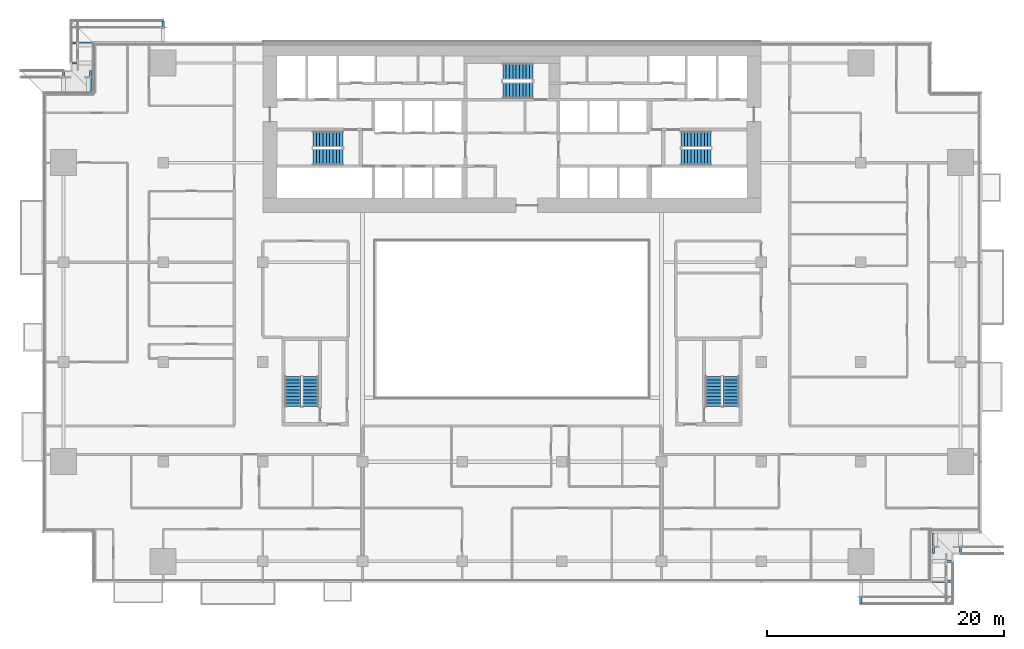
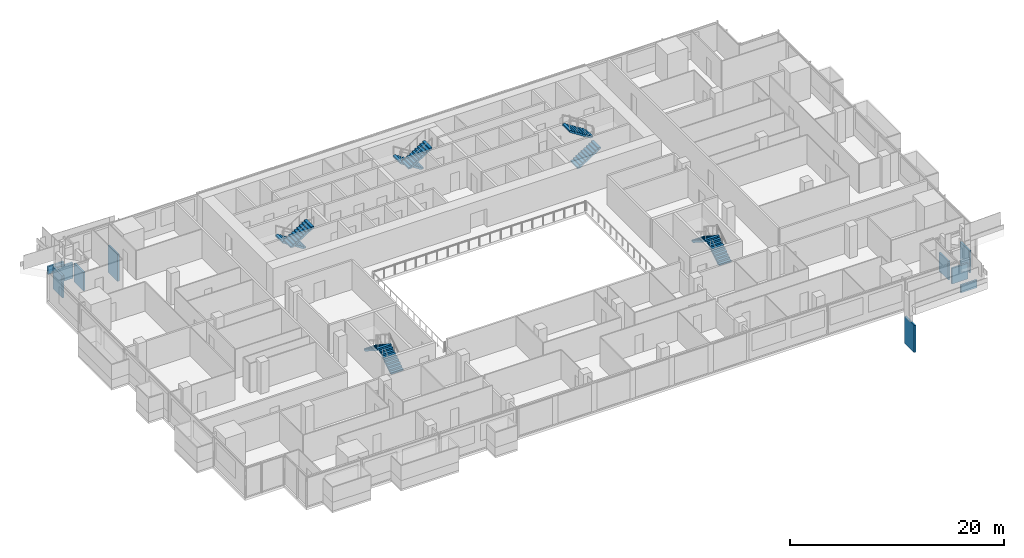
# One storey, part 24 of 29: 10 discrete accessories, 10 stair flights, 5 elements without a shape of their own.
"""IFC4 building model written with IfcOpenShell, lengths in metres."""

from ifc_helpers import new_model, si_unit, direction, frame, origin, origin_2d, place, context, subcontext, project, spatial, polyline, rectangle, outline, extrude, material, type_object, element, aggregate, save


model = new_model("IFC4")

# Units and contexts
model_context = context("Model", 3, precision=1e-05, world=origin(), true_north=direction((0.0, 1.0)))
body_context = subcontext(model_context, "Body", "Model", "MODEL_VIEW")
ifc_project = project(units=[si_unit("LENGTHUNIT", "METRE"), si_unit("AREAUNIT", "SQUARE_METRE"), si_unit("VOLUMEUNIT", "CUBIC_METRE"), si_unit("PLANEANGLEUNIT", "RADIAN"), si_unit("MASSUNIT", "GRAM", prefix="KILO")], contexts=[model_context])

# Site, building, storey
site_placement = place(None, origin())
site = spatial("IfcSite", under=ifc_project, at=site_placement, CompositionType="ELEMENT")
building_placement = place(site_placement, origin())
building = spatial("IfcBuilding", under=site, at=building_placement, Name="Saffron Gate Tower", CompositionType="ELEMENT")
storey_placement = place(building_placement, frame((0.0, 0.0, 48.0)))
storey = spatial("IfcBuildingStorey", under=building, at=storey_placement, Name="L10", CompositionType="ELEMENT", Elevation=48.0)

# Stair, stair flights
ifc_material = material(Name="Concrete C40", Category="concrete")
stair_type = type_object("IfcStairType", Name="ST7 Stair 1350 wide, 20 risers of 180", PredefinedType="HALF_TURN_STAIR", material=ifc_material)
stair_1_placement = place(storey_placement, origin())
stair_1 = element("IfcStair", 1, at=stair_1_placement, inside=storey, type_object=stair_type, Name="L10 Exit stair A", PredefinedType="HALF_TURN_STAIR")
stair_flight_type = type_object("IfcStairFlightType", Name="SF3 Stair flight 1350 wide, riser 180 going 280", PredefinedType="STRAIGHT", material=ifc_material)
stair_flight_1_placement = place(storey_placement, frame((73.35009765625, 67.375, 0.0), z_axis=(0.0, 0.0, 1.0), x_axis=(-1.0, 0.0, 0.0)))
stair_flight_1 = element("IfcStairFlight", 2, at=stair_flight_1_placement, type_object=stair_flight_type, Name="ST-A flight 1", NumberOfRisers=10, NumberOfTreads=9, PredefinedType="STRAIGHT", RiserHeight=0.18, TreadLength=0.28, context=body_context, shape_type="SweptSolid", body=[
    extrude(outline(polyline([(0.0, 0.0), (0.0, 0.179931640625), (0.280029296875, 0.179931640625), (0.280029296875, 0.360107421875), (0.56005859375, 0.360107421875), (0.56005859375, 0.5400390625), (0.840087890625, 0.5400390625), (0.840087890625, 0.719970703125), (1.1201171875, 0.719970703125), (1.1201171875, 0.89990234375), (1.39990234375, 0.89990234375), (1.39990234375, 1.080078125), (1.679931640625, 1.080078125), (1.679931640625, 1.260009765625), (1.9599609375, 1.260009765625), (1.9599609375, 1.43994140625), (2.239990234375, 1.43994140625), (2.239990234375, 1.6201171875), (2.52001953125, 1.6201171875), (2.52001953125, 1.800048828125), (2.52001953125, 1.44189453125), (0.277099609375, 0.0), (0.0, 0.0)])), frame((0.0, 0.675048828125, 0.0), z_axis=(0.0, -1.0, 0.0), x_axis=(1.0, 0.0, 0.0)), (0.0, 0.0, 1.0), 1.35009765625),
])
stair_flight_2_placement = place(storey_placement, frame((70.830078125, 65.875, 1.800048828125), z_axis=(0.0, 0.0, 1.0), x_axis=(1.0, 0.0, 0.0)))
stair_flight_2 = element("IfcStairFlight", 3, at=stair_flight_2_placement, type_object=stair_flight_type, Name="ST-A flight 2", NumberOfRisers=10, NumberOfTreads=9, PredefinedType="STRAIGHT", RiserHeight=0.18, TreadLength=0.28, context=body_context, shape_type="SweptSolid", body=[
    extrude(outline(polyline([(0.0, 0.0), (0.0, 0.179931640625), (0.280029296875, 0.179931640625), (0.280029296875, 0.360107421875), (0.56005859375, 0.360107421875), (0.56005859375, 0.5400390625), (0.840087890625, 0.5400390625), (0.840087890625, 0.719970703125), (1.1201171875, 0.719970703125), (1.1201171875, 0.89990234375), (1.39990234375, 0.89990234375), (1.39990234375, 1.080078125), (1.679931640625, 1.080078125), (1.679931640625, 1.260009765625), (1.9599609375, 1.260009765625), (1.9599609375, 1.43994140625), (2.239990234375, 1.43994140625), (2.239990234375, 1.6201171875), (2.52001953125, 1.6201171875), (2.52001953125, 1.800048828125), (2.52001953125, 1.44189453125), (0.277099609375, 0.0), (0.0, 0.0)])), frame((0.0, 0.675048828125, 0.0), z_axis=(0.0, -1.0, 0.0), x_axis=(1.0, 0.0, 0.0)), (0.0, 0.0, 1.0), 1.35009765625),
])
aggregate(stair_1, [stair_flight_1, stair_flight_2])

stair_2_placement = place(storey_placement, origin())
stair_2 = element("IfcStair", 4, at=stair_2_placement, inside=storey, type_object=stair_type, Name="L10 Exit stair B", PredefinedType="HALF_TURN_STAIR")
stair_flight_3_placement = place(storey_placement, frame((101.85009765625, 65.875, 0.0), z_axis=(0.0, 0.0, 1.0), x_axis=(1.0, 0.0, 0.0)))
stair_flight_3 = element("IfcStairFlight", 5, at=stair_flight_3_placement, type_object=stair_flight_type, Name="ST-B flight 1", NumberOfRisers=10, NumberOfTreads=9, PredefinedType="STRAIGHT", RiserHeight=0.18, TreadLength=0.28, context=body_context, shape_type="SweptSolid", body=[
    extrude(outline(polyline([(0.0, 0.0), (0.0, 0.179931640625), (0.280029296875, 0.179931640625), (0.280029296875, 0.360107421875), (0.56005859375, 0.360107421875), (0.56005859375, 0.5400390625), (0.840087890625, 0.5400390625), (0.840087890625, 0.719970703125), (1.1201171875, 0.719970703125), (1.1201171875, 0.89990234375), (1.39990234375, 0.89990234375), (1.39990234375, 1.080078125), (1.679931640625, 1.080078125), (1.679931640625, 1.260009765625), (1.9599609375, 1.260009765625), (1.9599609375, 1.43994140625), (2.239990234375, 1.43994140625), (2.239990234375, 1.6201171875), (2.52001953125, 1.6201171875), (2.52001953125, 1.800048828125), (2.52001953125, 1.44189453125), (0.277099609375, 0.0), (0.0, 0.0)])), frame((0.0, 0.675048828125, 0.0), z_axis=(0.0, -1.0, 0.0), x_axis=(1.0, 0.0, 0.0)), (0.0, 0.0, 1.0), 1.35009765625),
])
stair_flight_4_placement = place(storey_placement, frame((104.3701171875, 67.375, 1.800048828125), z_axis=(0.0, 0.0, 1.0), x_axis=(-1.0, 0.0, 0.0)))
stair_flight_4 = element("IfcStairFlight", 6, at=stair_flight_4_placement, type_object=stair_flight_type, Name="ST-B flight 2", NumberOfRisers=10, NumberOfTreads=9, PredefinedType="STRAIGHT", RiserHeight=0.18, TreadLength=0.28, context=body_context, shape_type="SweptSolid", body=[
    extrude(outline(polyline([(0.0, 0.0), (0.0, 0.179931640625), (0.280029296875, 0.179931640625), (0.280029296875, 0.360107421875), (0.56005859375, 0.360107421875), (0.56005859375, 0.5400390625), (0.840087890625, 0.5400390625), (0.840087890625, 0.719970703125), (1.1201171875, 0.719970703125), (1.1201171875, 0.89990234375), (1.39990234375, 0.89990234375), (1.39990234375, 1.080078125), (1.679931640625, 1.080078125), (1.679931640625, 1.260009765625), (1.9599609375, 1.260009765625), (1.9599609375, 1.43994140625), (2.239990234375, 1.43994140625), (2.239990234375, 1.6201171875), (2.52001953125, 1.6201171875), (2.52001953125, 1.800048828125), (2.52001953125, 1.44189453125), (0.277099609375, 0.0), (0.0, 0.0)])), frame((0.0, 0.675048828125, 0.0), z_axis=(0.0, -1.0, 0.0), x_axis=(1.0, 0.0, 0.0)), (0.0, 0.0, 1.0), 1.35009765625),
])
aggregate(stair_2, [stair_flight_3, stair_flight_4])

stair_3_placement = place(storey_placement, origin())
stair_3 = element("IfcStair", 7, at=stair_3_placement, inside=storey, type_object=stair_type, Name="L10 Exit stair C", PredefinedType="HALF_TURN_STAIR")
stair_flight_5_placement = place(storey_placement, frame((89.35009765625, 73.074951171875, 0.0), z_axis=(0.0, 0.0, 1.0), x_axis=(-1.0, 0.0, 0.0)))
stair_flight_5 = element("IfcStairFlight", 8, at=stair_flight_5_placement, type_object=stair_flight_type, Name="ST-C flight 1", NumberOfRisers=10, NumberOfTreads=9, PredefinedType="STRAIGHT", RiserHeight=0.18, TreadLength=0.28, context=body_context, shape_type="SweptSolid", body=[
    extrude(outline(polyline([(0.0, 0.0), (0.0, 0.179931640625), (0.280029296875, 0.179931640625), (0.280029296875, 0.360107421875), (0.56005859375, 0.360107421875), (0.56005859375, 0.5400390625), (0.840087890625, 0.5400390625), (0.840087890625, 0.719970703125), (1.1201171875, 0.719970703125), (1.1201171875, 0.89990234375), (1.39990234375, 0.89990234375), (1.39990234375, 1.080078125), (1.679931640625, 1.080078125), (1.679931640625, 1.260009765625), (1.9599609375, 1.260009765625), (1.9599609375, 1.43994140625), (2.239990234375, 1.43994140625), (2.239990234375, 1.6201171875), (2.52001953125, 1.6201171875), (2.52001953125, 1.800048828125), (2.52001953125, 1.44189453125), (0.277099609375, 0.0), (0.0, 0.0)])), frame((0.0, 0.675048828125, 0.0), z_axis=(0.0, -1.0, 0.0), x_axis=(1.0, 0.0, 0.0)), (0.0, 0.0, 1.0), 1.35009765625),
])
stair_flight_6_placement = place(storey_placement, frame((86.830078125, 71.47509765625, 1.800048828125), z_axis=(0.0, 0.0, 1.0), x_axis=(1.0, 0.0, 0.0)))
stair_flight_6 = element("IfcStairFlight", 9, at=stair_flight_6_placement, type_object=stair_flight_type, Name="ST-C flight 2", NumberOfRisers=10, NumberOfTreads=9, PredefinedType="STRAIGHT", RiserHeight=0.18, TreadLength=0.28, context=body_context, shape_type="SweptSolid", body=[
    extrude(outline(polyline([(0.0, 0.0), (0.0, 0.179931640625), (0.280029296875, 0.179931640625), (0.280029296875, 0.360107421875), (0.56005859375, 0.360107421875), (0.56005859375, 0.5400390625), (0.840087890625, 0.5400390625), (0.840087890625, 0.719970703125), (1.1201171875, 0.719970703125), (1.1201171875, 0.89990234375), (1.39990234375, 0.89990234375), (1.39990234375, 1.080078125), (1.679931640625, 1.080078125), (1.679931640625, 1.260009765625), (1.9599609375, 1.260009765625), (1.9599609375, 1.43994140625), (2.239990234375, 1.43994140625), (2.239990234375, 1.6201171875), (2.52001953125, 1.6201171875), (2.52001953125, 1.800048828125), (2.52001953125, 1.44189453125), (0.277099609375, 0.0), (0.0, 0.0)])), frame((0.0, 0.675048828125, 0.0), z_axis=(0.0, -1.0, 0.0), x_axis=(1.0, 0.0, 0.0)), (0.0, 0.0, 1.0), 1.35009765625),
])
aggregate(stair_3, [stair_flight_5, stair_flight_6])

stair_4_placement = place(storey_placement, origin())
stair_4 = element("IfcStair", 10, at=stair_4_placement, inside=storey, type_object=stair_type, Name="L10 Exit stair D", PredefinedType="HALF_TURN_STAIR")
stair_flight_7_placement = place(storey_placement, frame((70.625, 44.85009765625, 0.0), z_axis=(0.0, 0.0, 1.0), x_axis=(0.0, 1.0, 0.0)))
stair_flight_7 = element("IfcStairFlight", 11, at=stair_flight_7_placement, type_object=stair_flight_type, Name="ST-D flight 1", NumberOfRisers=10, NumberOfTreads=9, PredefinedType="STRAIGHT", RiserHeight=0.18, TreadLength=0.28, context=body_context, shape_type="SweptSolid", body=[
    extrude(outline(polyline([(0.0, 0.0), (0.0, 0.179931640625), (0.280029296875, 0.179931640625), (0.280029296875, 0.360107421875), (0.56005859375, 0.360107421875), (0.56005859375, 0.5400390625), (0.840087890625, 0.5400390625), (0.840087890625, 0.719970703125), (1.1201171875, 0.719970703125), (1.1201171875, 0.89990234375), (1.39990234375, 0.89990234375), (1.39990234375, 1.080078125), (1.679931640625, 1.080078125), (1.679931640625, 1.260009765625), (1.9599609375, 1.260009765625), (1.9599609375, 1.43994140625), (2.239990234375, 1.43994140625), (2.239990234375, 1.6201171875), (2.52001953125, 1.6201171875), (2.52001953125, 1.800048828125), (2.52001953125, 1.44189453125), (0.277099609375, 0.0), (0.0, 0.0)])), frame((0.0, 0.675048828125, 0.0), z_axis=(0.0, -1.0, 0.0), x_axis=(1.0, 0.0, 0.0)), (0.0, 0.0, 1.0), 1.35009765625),
])
stair_flight_8_placement = place(storey_placement, frame((69.125, 47.3701171875, 1.800048828125), z_axis=(0.0, 0.0, 1.0), x_axis=(0.0, -1.0, 0.0)))
stair_flight_8 = element("IfcStairFlight", 12, at=stair_flight_8_placement, type_object=stair_flight_type, Name="ST-D flight 2", NumberOfRisers=10, NumberOfTreads=9, PredefinedType="STRAIGHT", RiserHeight=0.18, TreadLength=0.28, context=body_context, shape_type="SweptSolid", body=[
    extrude(outline(polyline([(0.0, 0.0), (0.0, 0.179931640625), (0.280029296875, 0.179931640625), (0.280029296875, 0.360107421875), (0.56005859375, 0.360107421875), (0.56005859375, 0.5400390625), (0.840087890625, 0.5400390625), (0.840087890625, 0.719970703125), (1.1201171875, 0.719970703125), (1.1201171875, 0.89990234375), (1.39990234375, 0.89990234375), (1.39990234375, 1.080078125), (1.679931640625, 1.080078125), (1.679931640625, 1.260009765625), (1.9599609375, 1.260009765625), (1.9599609375, 1.43994140625), (2.239990234375, 1.43994140625), (2.239990234375, 1.6201171875), (2.52001953125, 1.6201171875), (2.52001953125, 1.800048828125), (2.52001953125, 1.44189453125), (0.277099609375, 0.0), (0.0, 0.0)])), frame((0.0, 0.675048828125, 0.0), z_axis=(0.0, -1.0, 0.0), x_axis=(1.0, 0.0, 0.0)), (0.0, 0.0, 1.0), 1.35009765625),
])
aggregate(stair_4, [stair_flight_7, stair_flight_8])

stair_5_placement = place(storey_placement, origin())
stair_5 = element("IfcStair", 13, at=stair_5_placement, inside=storey, type_object=stair_type, Name="L10 Exit stair E", PredefinedType="HALF_TURN_STAIR")
stair_flight_9_placement = place(storey_placement, frame((106.074951171875, 44.85009765625, 0.0), z_axis=(0.0, 0.0, 1.0), x_axis=(0.0, 1.0, 0.0)))
stair_flight_9 = element("IfcStairFlight", 14, at=stair_flight_9_placement, type_object=stair_flight_type, Name="ST-E flight 1", NumberOfRisers=10, NumberOfTreads=9, PredefinedType="STRAIGHT", RiserHeight=0.18, TreadLength=0.28, context=body_context, shape_type="SweptSolid", body=[
    extrude(outline(polyline([(0.0, 0.0), (0.0, 0.179931640625), (0.280029296875, 0.179931640625), (0.280029296875, 0.360107421875), (0.56005859375, 0.360107421875), (0.56005859375, 0.5400390625), (0.840087890625, 0.5400390625), (0.840087890625, 0.719970703125), (1.1201171875, 0.719970703125), (1.1201171875, 0.89990234375), (1.39990234375, 0.89990234375), (1.39990234375, 1.080078125), (1.679931640625, 1.080078125), (1.679931640625, 1.260009765625), (1.9599609375, 1.260009765625), (1.9599609375, 1.43994140625), (2.239990234375, 1.43994140625), (2.239990234375, 1.6201171875), (2.52001953125, 1.6201171875), (2.52001953125, 1.800048828125), (2.52001953125, 1.44189453125), (0.277099609375, 0.0), (0.0, 0.0)])), frame((0.0, 0.675048828125, 0.0), z_axis=(0.0, -1.0, 0.0), x_axis=(1.0, 0.0, 0.0)), (0.0, 0.0, 1.0), 1.35009765625),
])
stair_flight_10_placement = place(storey_placement, frame((104.574951171875, 47.3701171875, 1.800048828125), z_axis=(0.0, 0.0, 1.0), x_axis=(0.0, -1.0, 0.0)))
stair_flight_10 = element("IfcStairFlight", 15, at=stair_flight_10_placement, type_object=stair_flight_type, Name="ST-E flight 2", NumberOfRisers=10, NumberOfTreads=9, PredefinedType="STRAIGHT", RiserHeight=0.18, TreadLength=0.28, context=body_context, shape_type="SweptSolid", body=[
    extrude(outline(polyline([(0.0, 0.0), (0.0, 0.179931640625), (0.280029296875, 0.179931640625), (0.280029296875, 0.360107421875), (0.56005859375, 0.360107421875), (0.56005859375, 0.5400390625), (0.840087890625, 0.5400390625), (0.840087890625, 0.719970703125), (1.1201171875, 0.719970703125), (1.1201171875, 0.89990234375), (1.39990234375, 0.89990234375), (1.39990234375, 1.080078125), (1.679931640625, 1.080078125), (1.679931640625, 1.260009765625), (1.9599609375, 1.260009765625), (1.9599609375, 1.43994140625), (2.239990234375, 1.43994140625), (2.239990234375, 1.6201171875), (2.52001953125, 1.6201171875), (2.52001953125, 1.800048828125), (2.52001953125, 1.44189453125), (0.277099609375, 0.0), (0.0, 0.0)])), frame((0.0, 0.675048828125, 0.0), z_axis=(0.0, -1.0, 0.0), x_axis=(1.0, 0.0, 0.0)), (0.0, 0.0, 1.0), 1.35009765625),
])
aggregate(stair_5, [stair_flight_9, stair_flight_10])

# Discrete accessories
discrete_accessory_1_placement = place(storey_placement, frame((117.0, 29.125, -3.8798828125), z_axis=(0.0, 0.0, 1.0), x_axis=(1.0, 0.0, 0.0)))
element("IfcDiscreteAccessory", 16, at=discrete_accessory_1_placement, inside=storey, Name="LEDGE rib", PredefinedType="BRACKET", context=body_context, shape_type="SweptSolid", body=[
    extrude(rectangle(XDim=0.199951171875, YDim=1.75, at=origin_2d()), origin(), (0.0, 0.0, 1.0), 3.106201171875),
])
discrete_accessory_2_placement = place(storey_placement, frame((123.875, 30.1201171875, -0.280029296875), z_axis=(0.0, 0.0, 1.0), x_axis=(0.0, 1.0, 0.0)))
element("IfcDiscreteAccessory", 17, at=discrete_accessory_2_placement, inside=storey, Name="LEDGE rib", PredefinedType="BRACKET", context=body_context, shape_type="SweptSolid", body=[
    extrude(rectangle(XDim=0.199951171875, YDim=1.75, at=origin_2d()), origin(), (0.0, 0.0, 1.0), 0.87939453125),
])
discrete_accessory_3_placement = place(storey_placement, frame((123.875, 31.800048828125, -0.280029296875), z_axis=(0.0, 0.0, 1.0), x_axis=(0.0, 1.0, 0.0)))
element("IfcDiscreteAccessory", 18, at=discrete_accessory_3_placement, inside=storey, Name="LEDGE rib", PredefinedType="BRACKET", context=body_context, shape_type="SweptSolid", body=[
    extrude(rectangle(XDim=0.199951171875, YDim=1.75, at=origin_2d()), origin(), (0.0, 0.0, 1.0), 1.78857421875),
])
discrete_accessory_4_placement = place(storey_placement, frame((123.1201171875, 33.324951171875, -0.27978515625), z_axis=(0.0, 0.0, 1.0), x_axis=(1.0, 0.0, 0.0)))
element("IfcDiscreteAccessory", 19, at=discrete_accessory_4_placement, inside=storey, Name="LEDGE rib", PredefinedType="BRACKET", context=body_context, shape_type="SweptSolid", body=[
    extrude(rectangle(XDim=0.199951171875, YDim=1.75, at=origin_2d()), origin(), (0.0, 0.0, 1.0), 2.114990234375),
])
discrete_accessory_5_placement = place(storey_placement, frame((125.39990234375, 33.324951171875, -0.27978515625), z_axis=(0.0, 0.0, 1.0), x_axis=(1.0, 0.0, 0.0)))
element("IfcDiscreteAccessory", 20, at=discrete_accessory_5_placement, inside=storey, Name="LEDGE rib", PredefinedType="BRACKET", context=body_context, shape_type="SweptSolid", body=[
    extrude(rectangle(XDim=0.199951171875, YDim=1.75, at=origin_2d()), origin(), (0.0, 0.0, 1.0), 2.527099609375),
])
discrete_accessory_6_placement = place(storey_placement, frame((58.199951171875, 76.47509765625, -3.8798828125), z_axis=(0.0, 0.0, 1.0), x_axis=(-1.0, 0.0, 0.0)))
element("IfcDiscreteAccessory", 21, at=discrete_accessory_6_placement, inside=storey, Name="LEDGE rib", PredefinedType="BRACKET", context=body_context, shape_type="SweptSolid", body=[
    extrude(rectangle(XDim=0.199951171875, YDim=1.75, at=origin_2d()), origin(), (0.0, 0.0, 1.0), 3.106201171875),
])
discrete_accessory_7_placement = place(storey_placement, frame((51.324951171875, 75.47998046875, -0.280029296875), z_axis=(0.0, 0.0, 1.0), x_axis=(0.0, -1.0, 0.0)))
element("IfcDiscreteAccessory", 22, at=discrete_accessory_7_placement, inside=storey, Name="LEDGE rib", PredefinedType="BRACKET", context=body_context, shape_type="SweptSolid", body=[
    extrude(rectangle(XDim=0.199951171875, YDim=1.75, at=origin_2d()), origin(), (0.0, 0.0, 1.0), 0.87939453125),
])
discrete_accessory_8_placement = place(storey_placement, frame((51.324951171875, 73.800048828125, -0.280029296875), z_axis=(0.0, 0.0, 1.0), x_axis=(0.0, -1.0, 0.0)))
element("IfcDiscreteAccessory", 23, at=discrete_accessory_8_placement, inside=storey, Name="LEDGE rib", PredefinedType="BRACKET", context=body_context, shape_type="SweptSolid", body=[
    extrude(rectangle(XDim=0.199951171875, YDim=1.75, at=origin_2d()), origin(), (0.0, 0.0, 1.0), 1.78857421875),
])
discrete_accessory_9_placement = place(storey_placement, frame((52.080078125, 72.27490234375, -0.27978515625), z_axis=(0.0, 0.0, 1.0), x_axis=(-1.0, 0.0, 0.0)))
element("IfcDiscreteAccessory", 24, at=discrete_accessory_9_placement, inside=storey, Name="LEDGE rib", PredefinedType="BRACKET", context=body_context, shape_type="SweptSolid", body=[
    extrude(rectangle(XDim=0.199951171875, YDim=1.75, at=origin_2d()), origin(), (0.0, 0.0, 1.0), 2.114990234375),
])
discrete_accessory_10_placement = place(storey_placement, frame((49.800048828125, 72.27490234375, -0.27978515625), z_axis=(0.0, 0.0, 1.0), x_axis=(-1.0, 0.0, 0.0)))
element("IfcDiscreteAccessory", 25, at=discrete_accessory_10_placement, inside=storey, Name="LEDGE rib", PredefinedType="BRACKET", context=body_context, shape_type="SweptSolid", body=[
    extrude(rectangle(XDim=0.199951171875, YDim=1.75, at=origin_2d()), origin(), (0.0, 0.0, 1.0), 2.527099609375),
])

save(model, "model.ifc")
